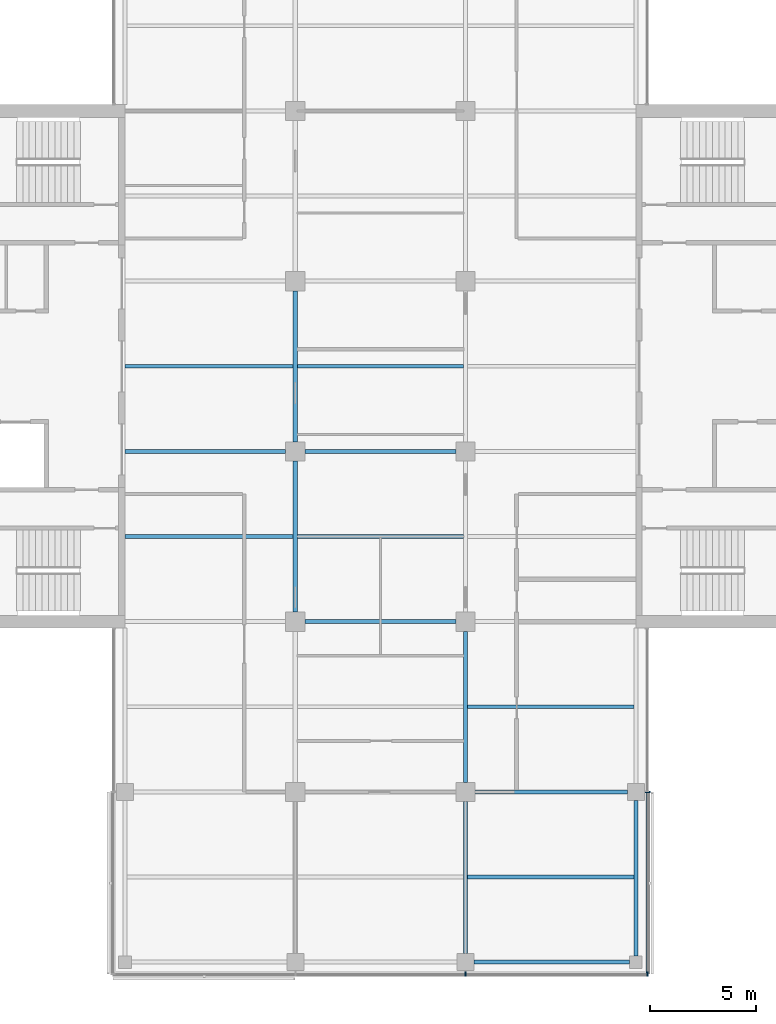
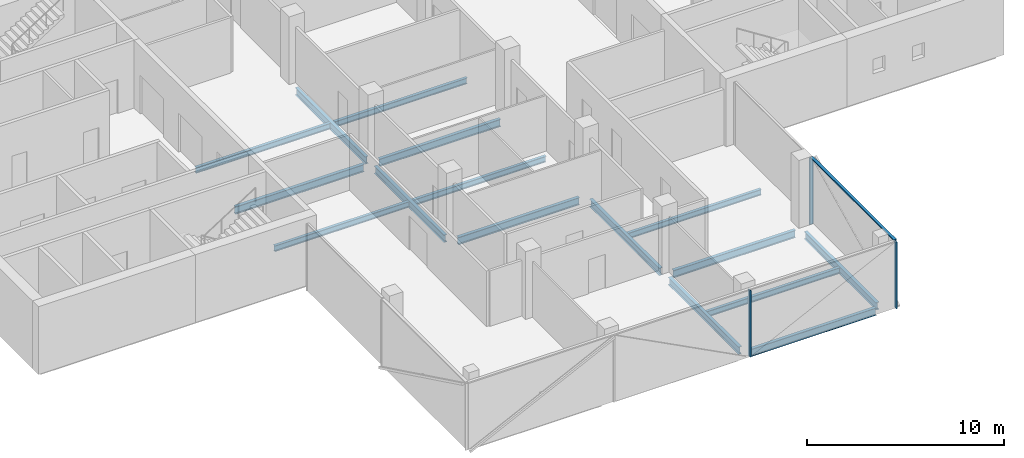
# One storey, part 3 of 15: 16 beams, 4 members, 2 elements without a shape of their own.
"""IFC4 building model written with IfcOpenShell, lengths in metres."""

import ifcopenshell
import ifcopenshell.guid

model = None  # the IFC model being written
_history = None  # IfcOwnerHistory: only IFC2X3 demands one
_inside = {}  # id of a spatial element -> (the spatial element, [elements in it])
_under = {}  # id of a project, library or spatial element -> (it, [spatial elements below it])
_declared = {}  # id of a project -> (the project, [libraries it declares])
_typed = {}  # id of a type object -> (the type object, [elements of that type])
_made_of = {}  # id of a material, layer set ... -> (it, [elements and type objects made of it])


def new_model(schema):
    """Start an empty IFC model of exactly this schema.

    Asked for "IFC4X3", IfcOpenShell would pick the latest addendum, in which some entities
    have other attributes; the version numbers below select the first issue.
    IFC2X3 requires an IfcOwnerHistory on every rooted entity: one is made here for all.
    """
    global model, _history
    if schema == "IFC4X3":
        model = ifcopenshell.file(schema_version=(4, 3, 0, 0))
    else:
        model = ifcopenshell.file(schema=schema)
    _inside.clear()
    _under.clear()
    _declared.clear()
    _typed.clear()
    _made_of.clear()
    _history = None
    if model.schema == "IFC2X3":
        org = make("IfcOrganization", Name="unknown")
        user = make(
            "IfcPersonAndOrganization",
            ThePerson=make("IfcPerson", FamilyName="unknown"),
            TheOrganization=org,
        )
        app = make(
            "IfcApplication",
            ApplicationDeveloper=org,
            Version="unknown",
            ApplicationFullName="unknown",
            ApplicationIdentifier="unknown",
        )
        _history = make(
            "IfcOwnerHistory",
            OwningUser=user,
            OwningApplication=app,
            ChangeAction="ADDED",
            CreationDate=0,
        )
    return model


def make(cls, **values):
    """One entity of the class cls with the attributes given. An attribute that is None is left unset."""
    return model.create_entity(
        cls, **{name: value for name, value in values.items() if value is not None}
    )


def rooted(cls, **values):
    """An entity with a GlobalId (a new one), such as an element, a storey or a relation."""
    return make(cls, GlobalId=ifcopenshell.guid.new(), OwnerHistory=_history, **values)


def si_unit(unit_type, name, prefix=None):
    """IfcSIUnit, for example si_unit("LENGTHUNIT", "METRE", prefix="MILLI")."""
    return make("IfcSIUnit", UnitType=unit_type, Prefix=prefix, Name=name)


def assignment(units):
    """IfcUnitAssignment: the units of a project."""
    return None if units is None else make("IfcUnitAssignment", Units=units)


def point(xyz):
    """IfcCartesianPoint."""
    return None if xyz is None else make("IfcCartesianPoint", Coordinates=xyz)


def direction(xyz):
    """IfcDirection."""
    return None if xyz is None else make("IfcDirection", DirectionRatios=xyz)


def frame(location, z_axis=None, x_axis=None):
    """IfcAxis2Placement3D, a coordinate frame: its origin and axes. An axis left out is left unset."""
    return make(
        "IfcAxis2Placement3D",
        Location=point(location),
        Axis=direction(z_axis),
        RefDirection=direction(x_axis),
    )


def frame_2d(location, x_axis=None):
    """IfcAxis2Placement2D, a coordinate frame in the plane: its origin and x axis."""
    return make(
        "IfcAxis2Placement2D", Location=point(location), RefDirection=direction(x_axis)
    )


def origin():
    """The frame at (0, 0, 0) with its axes left unset."""
    return frame((0.0, 0.0, 0.0))


def origin_2d():
    """The frame at (0, 0) in the plane with its x axis left unset."""
    return frame_2d((0.0, 0.0))


def place(relative_to, where):
    """IfcLocalPlacement: puts the frame where relative to a parent placement (None: the world)."""
    return make(
        "IfcLocalPlacement", PlacementRelTo=relative_to, RelativePlacement=where
    )


def context(
    kind, dimensions, precision=None, world=None, true_north=None, identifier=None
):
    """IfcGeometricRepresentationContext, for example the 3D "Model" context."""
    return make(
        "IfcGeometricRepresentationContext",
        ContextIdentifier=identifier,
        ContextType=kind,
        CoordinateSpaceDimension=dimensions,
        Precision=precision,
        WorldCoordinateSystem=world,
        TrueNorth=true_north,
    )


def subcontext(parent, identifier, kind, view, scale=None):
    """IfcGeometricRepresentationSubContext, for example "Body" below "Model"."""
    return make(
        "IfcGeometricRepresentationSubContext",
        ContextIdentifier=identifier,
        ContextType=kind,
        ParentContext=parent,
        TargetScale=scale,
        TargetView=view,
    )


def project(units=None, contexts=None):
    """IfcProject with its units and contexts."""
    return rooted(
        "IfcProject",
        Name="project",
        RepresentationContexts=contexts,
        UnitsInContext=assignment(units),
    )


def spatial(cls, under=None, at=None, **own):
    """A site, building, storey or space (cls), placed at a placement, below another one or the project."""
    s = rooted(cls, ObjectPlacement=at, **own)
    if under is not None:
        _under.setdefault(under.id(), (under, []))[1].append(s)
    return s


def profile(cls, at=None, kind="AREA", **sizes):
    """A parametric profile (cls). Its sizes go by their IFC names, for example OverallWidth=200.0."""
    return make(cls, ProfileType=kind, Position=at, **sizes)


def rectangle(**sizes):
    """IfcRectangleProfileDef."""
    return profile("IfcRectangleProfileDef", **sizes)


def i_section(**sizes):
    """IfcIShapeProfileDef."""
    return profile("IfcIShapeProfileDef", **sizes)


def extrude(swept, where, along, depth):
    """IfcExtrudedAreaSolid: the profile swept, set in the frame where, extruded along a direction by depth."""
    return make(
        "IfcExtrudedAreaSolid",
        SweptArea=swept,
        Position=where,
        ExtrudedDirection=direction(along),
        Depth=depth,
    )


def shape(context_of_items, identifier, shape_type, items):
    """IfcShapeRepresentation: the items that make up one representation, for example the "Body"."""
    return make(
        "IfcShapeRepresentation",
        ContextOfItems=context_of_items,
        RepresentationIdentifier=identifier,
        RepresentationType=shape_type,
        Items=items,
    )


def material(Name=None, Category=None):
    """IfcMaterial."""
    return make("IfcMaterial", Name=Name, Category=Category)


def material_profile(
    of_material, cross_section, Name=None, Category=None, Priority=None
):
    """IfcMaterialProfile: a cross section and its material."""
    return make(
        "IfcMaterialProfile",
        Name=Name,
        Material=of_material,
        Profile=cross_section,
        Priority=Priority,
        Category=Category,
    )


def profile_set(profiles, Name=None, composite=None):
    """IfcMaterialProfileSet."""
    return make(
        "IfcMaterialProfileSet",
        Name=Name,
        MaterialProfiles=profiles,
        CompositeProfile=composite,
    )


def made_of(thing, what):
    """Note that an element or type object is made of a material, layer set ...; save() writes the relation."""
    if what is not None:
        _made_of.setdefault(what.id(), (what, []))[1].append(thing)
    return thing


def type_object(cls, material=None, **own):
    """A type object (cls), such as IfcWallType, which elements share."""
    return made_of(rooted(cls, **own), material)


def element(
    cls,
    number,
    at=None,
    inside=None,
    cuts=None,
    type_object=None,
    material=None,
    context=None,
    identifier="Body",
    shape_type=None,
    held_by="IfcProductDefinitionShape",
    body=None,
    shapes=None,
    **own,
):
    """One element of the class cls, such as IfcWall. Its Tag is "e" and its number.

    at: its placement. inside: the storey or other place that contains it. cuts: it is an
    opening in that element (IfcRelVoidsElement). A single representation is given by context,
    identifier, shape_type and body (its items); several are given by shapes. held_by: the class
    of the entity that holds the representations. save() writes the other relations.
    """
    e = rooted(cls, Tag="e%d" % number, ObjectPlacement=at, **own)
    if body is not None:
        shapes = [shape(context, identifier, shape_type, body)]
    if shapes is not None:
        e.Representation = make(held_by, Representations=shapes)
    if inside is not None:
        _inside.setdefault(inside.id(), (inside, []))[1].append(e)
    if cuts is not None:
        rooted(
            "IfcRelVoidsElement", RelatingBuildingElement=cuts, RelatedOpeningElement=e
        )
    if type_object is not None:
        _typed.setdefault(type_object.id(), (type_object, []))[1].append(e)
    return made_of(e, material)


def aggregate(whole, parts):
    """IfcRelAggregates: a whole, such as a stair, and the parts it consists of."""
    return rooted("IfcRelAggregates", RelatingObject=whole, RelatedObjects=parts)


def save(model, path):
    """Write the relations noted so far, then the file.

    IfcRelAggregates (storeys below a building ...), IfcRelContainedInSpatialStructure (elements
    in a storey), IfcRelDefinesByType, IfcRelAssociatesMaterial and IfcRelDeclares: one each for
    every whole, place, type object, material and project.
    """
    for whole, parts in _under.values():
        aggregate(whole, parts)
    for where, things in _inside.values():
        rooted(
            "IfcRelContainedInSpatialStructure",
            RelatedElements=things,
            RelatingStructure=where,
        )
    for kind, things in _typed.values():
        rooted("IfcRelDefinesByType", RelatedObjects=things, RelatingType=kind)
    for what, things in _made_of.values():
        rooted("IfcRelAssociatesMaterial", RelatedObjects=things, RelatingMaterial=what)
    for by, libraries in _declared.values():
        rooted("IfcRelDeclares", RelatingContext=by, RelatedDefinitions=libraries)
    model.write(path)


model = new_model("IFC4")

# Units and contexts
model_context = context("Model", 3, precision=1e-05, world=origin(), true_north=direction((0.0, 1.0)))
body_context = subcontext(model_context, "Body", "Model", "MODEL_VIEW")
ifc_project = project(units=[si_unit("LENGTHUNIT", "METRE"), si_unit("AREAUNIT", "SQUARE_METRE"), si_unit("VOLUMEUNIT", "CUBIC_METRE"), si_unit("PLANEANGLEUNIT", "RADIAN"), si_unit("MASSUNIT", "GRAM", prefix="KILO")], contexts=[model_context])

# Site, building, storey
site_placement = place(None, origin())
site = spatial("IfcSite", under=ifc_project, at=site_placement, CompositionType="ELEMENT")
building_placement = place(site_placement, origin())
building = spatial("IfcBuilding", under=site, at=building_placement, Name="Crosswind Convention Tower", CompositionType="ELEMENT")
storey_placement = place(building_placement, frame((0.0, 0.0, 187.300048828125)))
storey = spatial("IfcBuildingStorey", under=building, at=storey_placement, Name="L39", CompositionType="ELEMENT", Elevation=187.300048828125)

# Beams
ifc_material_1 = material(Name="Steel S355", Category="steel")
ifc_material_profile_1 = material_profile(ifc_material_1, i_section(OverallWidth=0.18994140625, OverallDepth=0.45361328125, WebThickness=0.008544921875, FlangeThickness=0.0126953125, FilletRadius=0.01025390625, at=origin_2d()), Name="UB 457x191x67")
ifc_profile_set_1 = profile_set([ifc_material_profile_1], Name="Steel S355")
beam_type_1 = type_object("IfcBeamType", Name="Edge beam UB 457x191x67", PredefinedType="SPANDREL", material=ifc_profile_set_1)
for number, where, z_axis, x_axis, name in (
    (1, (129.39990234375, 72.0, -0.52685546875), (1.0, 0.0, 0.0), (0.0, 1.0, 0.0), "B16 L39 edge beam 9"),
    (2, (137.0, 72.300048828125, -0.52685546875), (0.0, 1.0, 0.0), (-1.0, 0.0, 0.0), "B16 L39 edge beam 11"),
):
    element("IfcBeam", number, at=place(storey_placement, frame(where, z_axis=z_axis, x_axis=x_axis)), inside=storey, type_object=beam_type_1, Name=name, PredefinedType="SPANDREL", context=body_context, shape_type="SweptSolid", body=[
        extrude(i_section(OverallWidth=0.18994140625, OverallDepth=0.45361328125, WebThickness=0.008544921875, FlangeThickness=0.0126953125, FilletRadius=0.01025390625, at=origin_2d()), origin(), (0.0, 0.0, 1.0), 7.300048828125),
    ])
ifc_material_profile_2 = material_profile(ifc_material_1, i_section(OverallWidth=0.1904296875, OverallDepth=0.457275390625, WebThickness=0.009033203125, FlangeThickness=0.014404296875, FilletRadius=0.01025390625, at=origin_2d()), Name="UB 457x191x75")
ifc_profile_set_2 = profile_set([ifc_material_profile_2], Name="Steel S355")
beam_type_2 = type_object("IfcBeamType", Name="Girder UB 457x191x75", PredefinedType="BEAM", material=ifc_profile_set_2)
for number, where, z_axis, x_axis, name in (
    (3, (121.0, 88.449951171875, -0.528564453125), (0.0, 1.0, 0.0), (-1.0, 0.0, 0.0), "B2 L39 girder 5"),
    (4, (121.0, 96.449951171875, -0.528564453125), (0.0, 1.0, 0.0), (-1.0, 0.0, 0.0), "B2 L39 girder 6"),
    (5, (121.449951171875, 88.0, -0.528564453125), (1.0, 0.0, 0.0), (0.0, 1.0, 0.0), "B2 L39 girder 11"),
    (6, (121.449951171875, 96.0, -0.528564453125), (1.0, 0.0, 0.0), (0.0, 1.0, 0.0), "B2 L39 girder 12"),
):
    element("IfcBeam", number, at=place(storey_placement, frame(where, z_axis=z_axis, x_axis=x_axis)), inside=storey, type_object=beam_type_2, Name=name, PredefinedType="BEAM", context=body_context, shape_type="SweptSolid", body=[
        extrude(i_section(OverallWidth=0.1904296875, OverallDepth=0.457275390625, WebThickness=0.009033203125, FlangeThickness=0.014404296875, FilletRadius=0.01025390625, at=origin_2d()), origin(), (0.0, 0.0, 1.0), 7.10009765625),
    ])
beam_1_placement = place(storey_placement, frame((129.0, 72.39990234375, -0.528564453125), z_axis=(0.0, 1.0, 0.0), x_axis=(-1.0, 0.0, 0.0)))
element("IfcBeam", 7, at=beam_1_placement, inside=storey, type_object=beam_type_2, Name="B2 L39 girder 16", PredefinedType="BEAM", context=body_context, shape_type="SweptSolid", body=[
    extrude(i_section(OverallWidth=0.1904296875, OverallDepth=0.457275390625, WebThickness=0.009033203125, FlangeThickness=0.014404296875, FilletRadius=0.01025390625, at=origin_2d()), origin(), (0.0, 0.0, 1.0), 7.150146484375),
])
beam_2_placement = place(storey_placement, frame((129.0, 80.449951171875, -0.528564453125), z_axis=(0.0, 1.0, 0.0), x_axis=(-1.0, 0.0, 0.0)))
element("IfcBeam", 8, at=beam_2_placement, inside=storey, type_object=beam_type_2, Name="B2 L39 girder 17", PredefinedType="BEAM", context=body_context, shape_type="SweptSolid", body=[
    extrude(i_section(OverallWidth=0.1904296875, OverallDepth=0.457275390625, WebThickness=0.009033203125, FlangeThickness=0.014404296875, FilletRadius=0.01025390625, at=origin_2d()), origin(), (0.0, 0.0, 1.0), 7.10009765625),
])
beam_3_placement = place(storey_placement, frame((129.449951171875, 80.0, -0.528564453125), z_axis=(1.0, 0.0, 0.0), x_axis=(0.0, 1.0, 0.0)))
element("IfcBeam", 9, at=beam_3_placement, inside=storey, type_object=beam_type_2, Name="B2 L39 girder 23", PredefinedType="BEAM", context=body_context, shape_type="SweptSolid", body=[
    extrude(i_section(OverallWidth=0.1904296875, OverallDepth=0.457275390625, WebThickness=0.009033203125, FlangeThickness=0.014404296875, FilletRadius=0.01025390625, at=origin_2d()), origin(), (0.0, 0.0, 1.0), 7.150146484375),
])
ifc_material_profile_3 = material_profile(ifc_material_1, i_section(OverallWidth=0.19140625, OverallDepth=0.460205078125, WebThickness=0.010009765625, FlangeThickness=0.01611328125, FilletRadius=0.01025390625, at=origin_2d()), Name="UB 457x191x82")
ifc_profile_set_3 = profile_set([ifc_material_profile_3], Name="Steel S355")
beam_type_3 = type_object("IfcBeamType", Name="Girder at core wall UB 457x191x82", PredefinedType="BEAM", material=ifc_profile_set_3)
beam_4_placement = place(storey_placement, frame((113.0, 96.0, -0.530029296875), z_axis=(1.0, 0.0, 0.0), x_axis=(0.0, 1.0, 0.0)))
element("IfcBeam", 10, at=beam_4_placement, inside=storey, type_object=beam_type_3, Name="B23 L39 girder at core wall 2", PredefinedType="BEAM", context=body_context, shape_type="SweptSolid", body=[
    extrude(i_section(OverallWidth=0.19140625, OverallDepth=0.460205078125, WebThickness=0.010009765625, FlangeThickness=0.01611328125, FilletRadius=0.01025390625, at=origin_2d()), origin(), (0.0, 0.0, 1.0), 7.550048828125),
])

# Curtain wall, members
ifc_material_2 = material(Name="Aluminium unitised curtain wall", Category="aluminium")
curtain_wall_type = type_object("IfcCurtainWallType", Name="OFFICE UNITISED WALL 220", PredefinedType="USERDEFINED", material=ifc_material_2)
curtain_wall_1_placement = place(storey_placement, origin())
curtain_wall_1 = element("IfcCurtainWall", 11, at=curtain_wall_1_placement, inside=storey, type_object=curtain_wall_type, Name="CW3 L39 S-TIP 1", ObjectType="UNITISED", PredefinedType="USERDEFINED")
ifc_material_3 = material(Name="Aluminium mullion", Category="aluminium")
ifc_material_profile_4 = material_profile(ifc_material_3, rectangle(XDim=0.219970703125, YDim=0.070068359375, at=origin_2d()), Name="AL 220X70")
ifc_profile_set_4 = profile_set([ifc_material_profile_4], Name="Aluminium mullion")
member_type_1 = type_object("IfcMemberType", Name="MULLION 70X220", PredefinedType="MULLION", material=ifc_profile_set_4)
member_1_placement = place(storey_placement, frame((129.0, 71.43994140625, -0.300048828125), z_axis=(0.0, 0.0, 1.0), x_axis=(0.0, -1.0, 0.0)))
member_1 = element("IfcMember", 12, at=member_1_placement, type_object=member_type_1, Name="CW3 mullion 3", PredefinedType="MULLION", context=body_context, shape_type="SweptSolid", body=[
    extrude(rectangle(XDim=0.219970703125, YDim=0.070068359375, at=origin_2d()), origin(), (0.0, 0.0, 1.0), 4.1298828125),
])
member_2_placement = place(storey_placement, frame((137.56005859375, 71.43994140625, -0.300048828125), z_axis=(0.0, 0.0, 1.0), x_axis=(0.0, -1.0, 0.0)))
member_2 = element("IfcMember", 13, at=member_2_placement, type_object=member_type_1, Name="CW3 mullion 4", PredefinedType="MULLION", context=body_context, shape_type="SweptSolid", body=[
    extrude(rectangle(XDim=0.219970703125, YDim=0.070068359375, at=origin_2d()), origin(), (0.0, 0.0, 1.0), 4.1298828125),
])
aggregate(curtain_wall_1, [member_1, member_2])

# Curtain wall, member
curtain_wall_2_placement = place(storey_placement, origin())
curtain_wall_2 = element("IfcCurtainWall", 14, at=curtain_wall_2_placement, inside=storey, type_object=curtain_wall_type, Name="CW3 L39 S-E 1", ObjectType="UNITISED", PredefinedType="USERDEFINED")
member_3_placement = place(storey_placement, frame((137.56005859375, 80.0, -0.300048828125), z_axis=(0.0, 0.0, 1.0), x_axis=(1.0, 0.0, 0.0)))
member_3 = element("IfcMember", 15, at=member_3_placement, type_object=member_type_1, Name="CW3 mullion 2", PredefinedType="MULLION", context=body_context, shape_type="SweptSolid", body=[
    extrude(rectangle(XDim=0.219970703125, YDim=0.070068359375, at=origin_2d()), origin(), (0.0, 0.0, 1.0), 4.1298828125),
])

# Beams
ifc_material_profile_5 = material_profile(ifc_material_1, i_section(OverallWidth=0.172119140625, OverallDepth=0.358642578125, WebThickness=0.008056640625, FlangeThickness=0.012939453125, FilletRadius=0.01025390625, at=origin_2d()), Name="UB 356x171x57")
ifc_profile_set_5 = profile_set([ifc_material_profile_5], Name="Steel S355")
beam_type_4 = type_object("IfcBeamType", Name="Secondary beam UB 356x171x57", PredefinedType="JOIST", material=ifc_profile_set_5)
for number, where, z_axis, x_axis, name in (
    (16, (113.0, 92.0, -0.479248046875), (1.0, 0.0, 0.0), (0.0, 1.0, 0.0), "B9 L39 secondary beam 1"),
    (17, (113.0, 100.0, -0.479248046875), (1.0, 0.0, 0.0), (0.0, 1.0, 0.0), "B9 L39 secondary beam 2"),
):
    element("IfcBeam", number, at=place(storey_placement, frame(where, z_axis=z_axis, x_axis=x_axis)), inside=storey, type_object=beam_type_4, Name=name, PredefinedType="JOIST", context=body_context, shape_type="SweptSolid", body=[
        extrude(i_section(OverallWidth=0.172119140625, OverallDepth=0.358642578125, WebThickness=0.008056640625, FlangeThickness=0.012939453125, FilletRadius=0.01025390625, at=origin_2d()), origin(), (0.0, 0.0, 1.0), 7.90478515625),
    ])
for number, where, z_axis, x_axis, name in (
    (18, (121.09521484375, 92.0, -0.479248046875), (1.0, 0.0, 0.0), (0.0, 1.0, 0.0), "B9 L39 secondary beam 10"),
    (19, (121.09521484375, 100.0, -0.479248046875), (1.0, 0.0, 0.0), (0.0, 1.0, 0.0), "B9 L39 secondary beam 11"),
):
    element("IfcBeam", number, at=place(storey_placement, frame(where, z_axis=z_axis, x_axis=x_axis)), inside=storey, type_object=beam_type_4, Name=name, PredefinedType="JOIST", context=body_context, shape_type="SweptSolid", body=[
        extrude(i_section(OverallWidth=0.172119140625, OverallDepth=0.358642578125, WebThickness=0.008056640625, FlangeThickness=0.012939453125, FilletRadius=0.01025390625, at=origin_2d()), origin(), (0.0, 0.0, 1.0), 7.8095703125),
    ])
for number, where, z_axis, x_axis, name in (
    (20, (129.09521484375, 76.0, -0.479248046875), (1.0, 0.0, 0.0), (0.0, 1.0, 0.0), "B9 L39 secondary beam 15"),
    (21, (129.09521484375, 84.0, -0.479248046875), (1.0, 0.0, 0.0), (0.0, 1.0, 0.0), "B9 L39 secondary beam 16"),
):
    element("IfcBeam", number, at=place(storey_placement, frame(where, z_axis=z_axis, x_axis=x_axis)), inside=storey, type_object=beam_type_4, Name=name, PredefinedType="JOIST", context=body_context, shape_type="SweptSolid", body=[
        extrude(i_section(OverallWidth=0.172119140625, OverallDepth=0.358642578125, WebThickness=0.008056640625, FlangeThickness=0.012939453125, FilletRadius=0.01025390625, at=origin_2d()), origin(), (0.0, 0.0, 1.0), 7.809814453125),
    ])

# Member
ifc_material_4 = material(Name="Aluminium transom", Category="aluminium")
ifc_material_profile_6 = material_profile(ifc_material_4, rectangle(XDim=0.159912109375, YDim=0.070068359375, at=origin_2d()), Name="AL 160X70")
ifc_profile_set_6 = profile_set([ifc_material_profile_6], Name="Aluminium transom")
member_type_2 = type_object("IfcMemberType", Name="TRANSOM 70X160", PredefinedType="USERDEFINED", material=ifc_profile_set_6)
member_4_placement = place(storey_placement, frame((137.56005859375, 71.47509765625, 3.864990234375), z_axis=(0.0, 1.0, 0.0), x_axis=(-1.0, 0.0, 0.0)))
member_4 = element("IfcMember", 22, at=member_4_placement, type_object=member_type_2, Name="CW3 transom", ObjectType="TRANSOM", PredefinedType="USERDEFINED", context=body_context, shape_type="SweptSolid", body=[
    extrude(rectangle(XDim=0.159912109375, YDim=0.070068359375, at=origin_2d()), origin(), (0.0, 0.0, 1.0), 8.489990234375),
])

aggregate(curtain_wall_2, [member_3, member_4])

save(model, "model.ifc")
